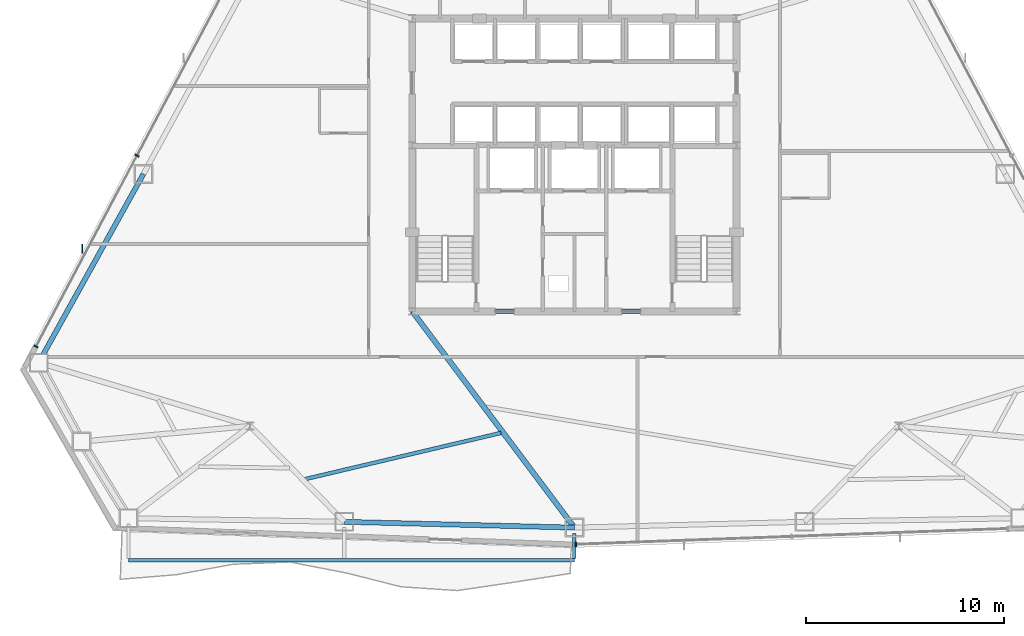
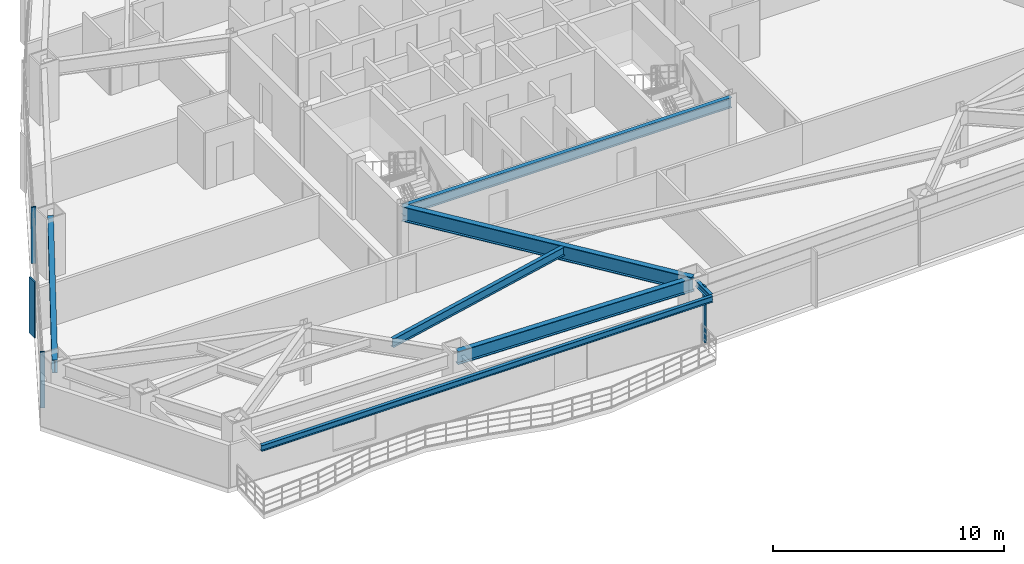
# One storey, part 4 of 13: 7 beams, 4 members, 2 elements without a shape of their own.
"""IFC4 building model written with IfcOpenShell, lengths in metres."""

from ifc_helpers import new_model, si_unit, direction, frame, origin, origin_2d, place, context, subcontext, project, spatial, rectangle, i_section, extrude, source, transform, mapped, material, layer, layer_set, material_profile, profile_set, type_object, type_shapes, element, aggregate, save


model = new_model("IFC4")

# Units and contexts
model_context = context("Model", 3, precision=1e-05, world=origin(), true_north=direction((0.0, 1.0)))
body_context = subcontext(model_context, "Body", "Model", "MODEL_VIEW")
ifc_project = project(units=[si_unit("LENGTHUNIT", "METRE"), si_unit("AREAUNIT", "SQUARE_METRE"), si_unit("VOLUMEUNIT", "CUBIC_METRE"), si_unit("PLANEANGLEUNIT", "RADIAN"), si_unit("MASSUNIT", "GRAM", prefix="KILO")], contexts=[model_context])

# Site, building, storey
site_placement = place(None, origin())
site = spatial("IfcSite", under=ifc_project, at=site_placement, CompositionType="ELEMENT")
building_placement = place(site_placement, origin())
building = spatial("IfcBuilding", under=site, at=building_placement, Name="Varakhsha Concourse Tower", CompositionType="ELEMENT")
storey_placement = place(building_placement, frame((0.0, 0.0, 99.0)))
storey = spatial("IfcBuildingStorey", under=building, at=storey_placement, Name="L28", CompositionType="ELEMENT", Elevation=99.0)

# Beams
ifc_material_1 = material(Name="Structural Steel ASTM A992 Grade 50", Category="steel")
ifc_material_profile_1 = material_profile(ifc_material_1, i_section(OverallWidth=0.26611328125, OverallDepth=0.779052734375, WebThickness=0.01708984375, FlangeThickness=0.030029296875, at=origin_2d()), Name="W30X148")
ifc_profile_set_1 = profile_set([ifc_material_profile_1], Name="Structural Steel ASTM A992 Grade 50")
beam_type_1 = type_object("IfcBeamType", Name="BM-BASE-W30X148", PredefinedType="USERDEFINED", material=ifc_profile_set_1)
beam_1_placement = place(storey_placement, frame((31.800048828125, 16.39990234375, 2.58056640625), z_axis=(0.599817112164, -0.800137133218, 0.0), x_axis=(0.800137133218, 0.599817112164, 0.0)))
element("IfcBeam", 1, at=beam_1_placement, inside=storey, type_object=beam_type_1, Name="L28 Radial Floor Girder 11", ObjectType="GIRDER", PredefinedType="USERDEFINED", context=body_context, shape_type="SweptSolid", body=[
    extrude(i_section(OverallWidth=0.26611328125, OverallDepth=0.779052734375, WebThickness=0.01708984375, FlangeThickness=0.030029296875, at=origin_2d()), origin(), (0.0, 0.0, 1.0), 13.670654296875),
])
ifc_material_profile_2 = material_profile(ifc_material_1, i_section(OverallWidth=0.1669921875, OverallDepth=0.31689453125, WebThickness=0.008056640625, FlangeThickness=0.012939453125, at=origin_2d()), Name="W12X35")
ifc_profile_set_2 = profile_set([ifc_material_profile_2], Name="Structural Steel ASTM A992 Grade 50")
beam_type_2 = type_object("IfcBeamType", Name="BM-EDGE-W12X35", PredefinedType="BEAM", material=ifc_profile_set_2)
beam_2_placement = place(storey_placement, frame((17.45068359375, 3.806884765625, 2.801513671875), z_axis=(1.0, 0.0, 0.0), x_axis=(0.0, 1.0, 0.0)))
element("IfcBeam", 2, at=beam_2_placement, inside=storey, type_object=beam_type_2, Name="L29 Sky-Loggia Outer Header Girder", PredefinedType="BEAM", context=body_context, shape_type="SweptSolid", body=[
    extrude(i_section(OverallWidth=0.1669921875, OverallDepth=0.31689453125, WebThickness=0.008056640625, FlangeThickness=0.012939453125, at=origin_2d()), origin(), (0.0, 0.0, 1.0), 22.54931640625),
])
beam_3_placement = place(storey_placement, frame((40.0, 5.16650390625, 2.801513671875), z_axis=(0.0, -1.0, 0.0), x_axis=(1.0, 0.0, 0.0)))
element("IfcBeam", 3, at=beam_3_placement, inside=storey, type_object=beam_type_2, Name="L29 Sky-Loggia Support Bracket 3", PredefinedType="BEAM", context=body_context, shape_type="SweptSolid", body=[
    extrude(i_section(OverallWidth=0.1669921875, OverallDepth=0.31689453125, WebThickness=0.008056640625, FlangeThickness=0.012939453125, at=origin_2d()), origin(), (0.0, 0.0, 1.0), 1.275390625),
])
ifc_material_profile_3 = material_profile(ifc_material_1, i_section(OverallWidth=0.19091796875, OverallDepth=0.45703125, WebThickness=0.009033203125, FlangeThickness=0.013916015625, at=origin_2d()), Name="W18X50")
ifc_profile_set_3 = profile_set([ifc_material_profile_3], Name="Structural Steel ASTM A992 Grade 50")
beam_type_3 = type_object("IfcBeamType", Name="BM-JST-W18X50", PredefinedType="JOIST", material=ifc_profile_set_3)
beam_4_placement = place(storey_placement, frame((26.375, 7.91162109375, 2.741455078125), z_axis=(0.973287768432, 0.229588588178, 0.0), x_axis=(-0.229588588178, 0.973287768432, 0.0)))
element("IfcBeam", 4, at=beam_4_placement, inside=storey, type_object=beam_type_3, Name="BM-TJST-L28-10", PredefinedType="JOIST", context=body_context, shape_type="SweptSolid", body=[
    extrude(i_section(OverallWidth=0.19091796875, OverallDepth=0.45703125, WebThickness=0.009033203125, FlangeThickness=0.013916015625, at=origin_2d()), origin(), (0.0, 0.0, 1.0), 10.181884765625),
])
ifc_material_profile_4 = material_profile(ifc_material_1, i_section(OverallWidth=0.2109375, OverallDepth=0.5390625, WebThickness=0.011962890625, FlangeThickness=0.01904296875, at=origin_2d()), Name="W21X73")
ifc_profile_set_4 = profile_set([ifc_material_profile_4], Name="Structural Steel ASTM A992 Grade 50")
beam_type_4 = type_object("IfcBeamType", Name="BM-RAD-W21X73", PredefinedType="BEAM", material=ifc_profile_set_4)
beam_5_placement = place(storey_placement, frame((31.800048828125, 16.39990234375, 2.700439453125), z_axis=(1.0, 0.0, 0.0), x_axis=(0.0, 1.0, 0.0)))
element("IfcBeam", 5, at=beam_5_placement, inside=storey, type_object=beam_type_4, Name="BM-TCORE-L28-CS", PredefinedType="BEAM", context=body_context, shape_type="SweptSolid", body=[
    extrude(i_section(OverallWidth=0.2109375, OverallDepth=0.5390625, WebThickness=0.011962890625, FlangeThickness=0.01904296875, at=origin_2d()), origin(), (0.0, 0.0, 1.0), 16.39990234375),
])
ifc_material_profile_5 = material_profile(ifc_material_1, i_section(OverallWidth=0.25390625, OverallDepth=0.701904296875, WebThickness=0.014892578125, FlangeThickness=0.028076171875, at=origin_2d()), Name="W27X129")
ifc_profile_set_5 = profile_set([ifc_material_profile_5], Name="Structural Steel ASTM A992 Grade 50")
beam_type_5 = type_object("IfcBeamType", Name="BM-SPAN-W27X129", PredefinedType="SPANDREL", material=ifc_profile_set_5)
beam_6_placement = place(storey_placement, frame((18.20751953125, 23.345947265625, 2.618896484375), z_axis=(-0.485437813763, -0.874271198753, 0.0), x_axis=(0.874271198753, -0.485437813763, 0.0)))
element("IfcBeam", 6, at=beam_6_placement, inside=storey, type_object=beam_type_5, Name="BM-SPAN-L28-06", PredefinedType="SPANDREL", context=body_context, shape_type="SweptSolid", body=[
    extrude(i_section(OverallWidth=0.25390625, OverallDepth=0.701904296875, WebThickness=0.014892578125, FlangeThickness=0.028076171875, at=origin_2d()), origin(), (0.0, 0.0, 1.0), 10.9150390625),
])
beam_7_placement = place(storey_placement, frame((28.3642578125, 5.754150390625, 2.59912109375), z_axis=(0.99968370363, -0.025149407483, 0.0), x_axis=(0.025149407483, 0.99968370363, 0.0)))
element("IfcBeam", 7, at=beam_7_placement, inside=storey, type_object=beam_type_5, Name="BM-SPAN-L28-10", PredefinedType="SPANDREL", context=body_context, shape_type="SweptSolid", body=[
    extrude(i_section(OverallWidth=0.25390625, OverallDepth=0.701904296875, WebThickness=0.014892578125, FlangeThickness=0.028076171875, at=origin_2d()), origin(), (0.0, 0.0, 1.0), 11.639404296875),
])

# Curtain wall, members
ifc_material_2 = material(Name="Anodised Bronze Architectural Aluminium AA 6063-T6", Category="aluminium")
ifc_layer = layer(ifc_material_2, 0.199951171875, Name="CW-SYS-03")
ifc_layer_set = layer_set([ifc_layer], Name="Anodised Bronze Architectural Aluminium AA 6063-T6")
curtain_wall_type = type_object("IfcCurtainWallType", Name="CW-SYS-03", PredefinedType="NOTDEFINED", material=ifc_layer_set)
curtain_wall_1_placement = place(storey_placement, origin())
curtain_wall_1 = element("IfcCurtainWall", 8, at=curtain_wall_1_placement, inside=storey, type_object=curtain_wall_type, Name="L28 Crystal Curtain Wall F3", PredefinedType="NOTDEFINED")
ifc_material_profile_6 = material_profile(ifc_material_2, rectangle(XDim=0.074951171875, YDim=0.219970703125, at=origin_2d()), Name="CWM-220X75")
ifc_profile_set_6 = profile_set([ifc_material_profile_6], Name="Anodised Bronze Architectural Aluminium AA 6063-T6")
member_type_1 = type_object("IfcMemberType", Name="CWM-220X75", PredefinedType="MULLION", material=ifc_profile_set_6)
shared_shape_1 = source(origin(), body_context, "Body", "SweptSolid", [
    extrude(rectangle(XDim=0.074951171875, YDim=0.219970703125, at=origin_2d()), origin(), (0.0, 0.0, 1.0), 2.969970703125),
])
type_shapes(member_type_1, [shared_shape_1])
member_1_placement = place(storey_placement, frame((12.7705078125, 14.62060546875, 0.0), z_axis=(0.0, 0.0, 1.0), x_axis=(0.468124153157, 0.883662705579, 0.0)))
member_1 = element("IfcMember", 9, at=member_1_placement, type_object=member_type_1, Name="CW-L28-F3 Mullion 00", PredefinedType="MULLION", context=body_context, shape_type="MappedRepresentation", body=[
    mapped(shared_shape_1, transform((0.0, 0.0, 0.0), scale=1.0)),
])
member_2_placement = place(storey_placement, frame((17.885009765625, 24.27490234375, 0.0), z_axis=(0.0, 0.0, 1.0), x_axis=(0.468124153157, 0.883662705579, 0.0)))
member_2 = element("IfcMember", 10, at=member_2_placement, type_object=member_type_1, Name="CW-L28-F3 Mullion 01", PredefinedType="MULLION", context=body_context, shape_type="MappedRepresentation", body=[
    mapped(shared_shape_1, transform((0.0, 0.0, 0.0), scale=1.0)),
])

# Curtain wall, member
curtain_wall_2_placement = place(storey_placement, origin())
curtain_wall_2 = element("IfcCurtainWall", 11, at=curtain_wall_2_placement, inside=storey, type_object=curtain_wall_type, Name="L28 Crystal Curtain Wall F6", PredefinedType="NOTDEFINED")
member_3_placement = place(storey_placement, frame((40.07421875, 4.6123046875, 0.0), z_axis=(0.0, 0.0, 1.0), x_axis=(-0.999336427987, -0.03642394403, 0.0)))
member_3 = element("IfcMember", 12, at=member_3_placement, type_object=member_type_1, Name="CW-L28-F6 Mullion 02", PredefinedType="MULLION", context=body_context, shape_type="MappedRepresentation", body=[
    mapped(shared_shape_1, transform((0.0, 0.0, 0.0), scale=1.0)),
])
aggregate(curtain_wall_2, [member_3])

# Member
ifc_material_profile_7 = material_profile(ifc_material_2, rectangle(XDim=0.06494140625, YDim=0.449951171875, at=origin_2d()), Name="FIN-BRZ-450")
ifc_profile_set_7 = profile_set([ifc_material_profile_7], Name="Anodised Bronze Architectural Aluminium AA 6063-T6")
member_type_2 = type_object("IfcMemberType", Name="FIN-BRZ-450", PredefinedType="USERDEFINED", material=ifc_profile_set_7)
shared_shape_2 = source(origin(), body_context, "Body", "SweptSolid", [
    extrude(rectangle(XDim=0.06494140625, YDim=0.449951171875, at=origin_2d()), origin(), (0.0, 0.0, 1.0), 2.969970703125),
])
type_shapes(member_type_2, [shared_shape_2])
member_4_placement = place(storey_placement, frame((15.115478515625, 19.56005859375, 0.0), z_axis=(0.0, 0.0, 1.0), x_axis=(1.0, 0.0, 0.0)))
member_4 = element("IfcMember", 13, at=member_4_placement, type_object=member_type_2, Name="L28 Anodised Bronze Solar Fin F3-1", ObjectType="SOLAR FIN", PredefinedType="USERDEFINED", context=body_context, shape_type="MappedRepresentation", body=[
    mapped(shared_shape_2, transform((0.0, 0.0, 0.0), scale=1.0)),
])

aggregate(curtain_wall_1, [member_1, member_2, member_4])

save(model, "model.ifc")
